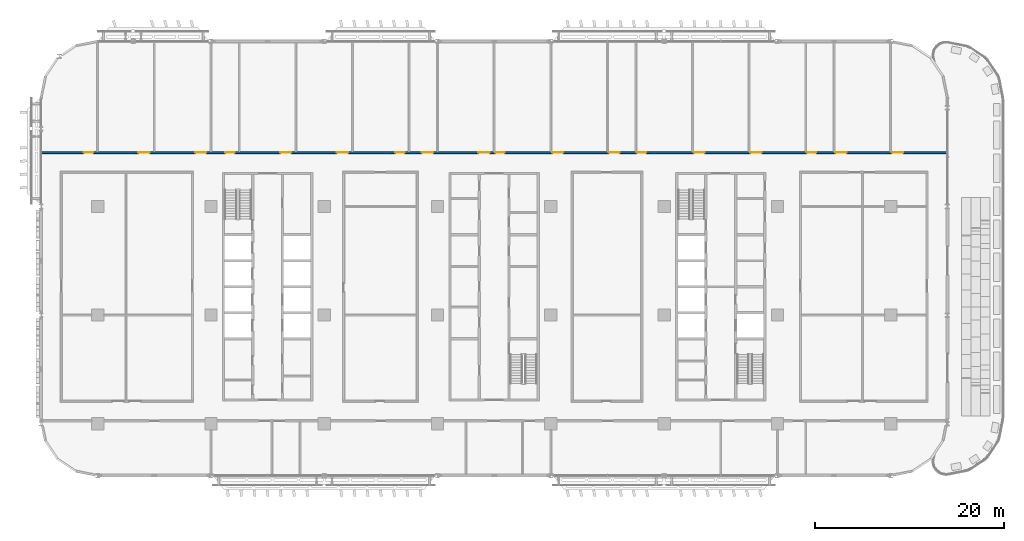
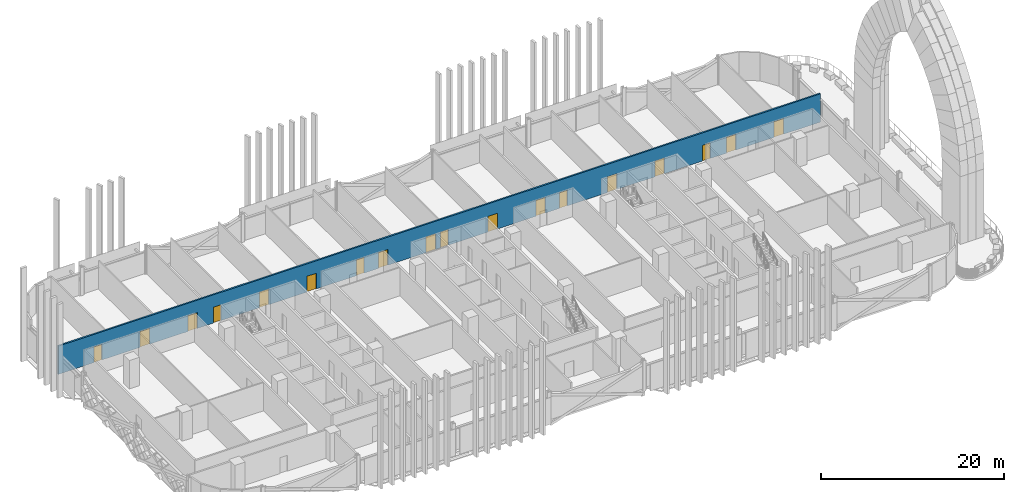
# One storey, part 14 of 33: 18 doors, 1 wall, 18 openings.
"""IFC4 building model written with IfcOpenShell, lengths in metres."""

import ifcopenshell
import ifcopenshell.guid

model = None  # the IFC model being written
_history = None  # IfcOwnerHistory: only IFC2X3 demands one
_inside = {}  # id of a spatial element -> (the spatial element, [elements in it])
_under = {}  # id of a project, library or spatial element -> (it, [spatial elements below it])
_declared = {}  # id of a project -> (the project, [libraries it declares])
_typed = {}  # id of a type object -> (the type object, [elements of that type])
_made_of = {}  # id of a material, layer set ... -> (it, [elements and type objects made of it])


def new_model(schema):
    """Start an empty IFC model of exactly this schema.

    Asked for "IFC4X3", IfcOpenShell would pick the latest addendum, in which some entities
    have other attributes; the version numbers below select the first issue.
    IFC2X3 requires an IfcOwnerHistory on every rooted entity: one is made here for all.
    """
    global model, _history
    if schema == "IFC4X3":
        model = ifcopenshell.file(schema_version=(4, 3, 0, 0))
    else:
        model = ifcopenshell.file(schema=schema)
    _inside.clear()
    _under.clear()
    _declared.clear()
    _typed.clear()
    _made_of.clear()
    _history = None
    if model.schema == "IFC2X3":
        org = make("IfcOrganization", Name="unknown")
        user = make(
            "IfcPersonAndOrganization",
            ThePerson=make("IfcPerson", FamilyName="unknown"),
            TheOrganization=org,
        )
        app = make(
            "IfcApplication",
            ApplicationDeveloper=org,
            Version="unknown",
            ApplicationFullName="unknown",
            ApplicationIdentifier="unknown",
        )
        _history = make(
            "IfcOwnerHistory",
            OwningUser=user,
            OwningApplication=app,
            ChangeAction="ADDED",
            CreationDate=0,
        )
    return model


def make(cls, **values):
    """One entity of the class cls with the attributes given. An attribute that is None is left unset."""
    return model.create_entity(
        cls, **{name: value for name, value in values.items() if value is not None}
    )


def rooted(cls, **values):
    """An entity with a GlobalId (a new one), such as an element, a storey or a relation."""
    return make(cls, GlobalId=ifcopenshell.guid.new(), OwnerHistory=_history, **values)


def si_unit(unit_type, name, prefix=None):
    """IfcSIUnit, for example si_unit("LENGTHUNIT", "METRE", prefix="MILLI")."""
    return make("IfcSIUnit", UnitType=unit_type, Prefix=prefix, Name=name)


def assignment(units):
    """IfcUnitAssignment: the units of a project."""
    return None if units is None else make("IfcUnitAssignment", Units=units)


def point(xyz):
    """IfcCartesianPoint."""
    return None if xyz is None else make("IfcCartesianPoint", Coordinates=xyz)


def direction(xyz):
    """IfcDirection."""
    return None if xyz is None else make("IfcDirection", DirectionRatios=xyz)


def frame(location, z_axis=None, x_axis=None):
    """IfcAxis2Placement3D, a coordinate frame: its origin and axes. An axis left out is left unset."""
    return make(
        "IfcAxis2Placement3D",
        Location=point(location),
        Axis=direction(z_axis),
        RefDirection=direction(x_axis),
    )


def frame_2d(location, x_axis=None):
    """IfcAxis2Placement2D, a coordinate frame in the plane: its origin and x axis."""
    return make(
        "IfcAxis2Placement2D", Location=point(location), RefDirection=direction(x_axis)
    )


def origin():
    """The frame at (0, 0, 0) with its axes left unset."""
    return frame((0.0, 0.0, 0.0))


def place(relative_to, where):
    """IfcLocalPlacement: puts the frame where relative to a parent placement (None: the world)."""
    return make(
        "IfcLocalPlacement", PlacementRelTo=relative_to, RelativePlacement=where
    )


def context(
    kind, dimensions, precision=None, world=None, true_north=None, identifier=None
):
    """IfcGeometricRepresentationContext, for example the 3D "Model" context."""
    return make(
        "IfcGeometricRepresentationContext",
        ContextIdentifier=identifier,
        ContextType=kind,
        CoordinateSpaceDimension=dimensions,
        Precision=precision,
        WorldCoordinateSystem=world,
        TrueNorth=true_north,
    )


def subcontext(parent, identifier, kind, view, scale=None):
    """IfcGeometricRepresentationSubContext, for example "Body" below "Model"."""
    return make(
        "IfcGeometricRepresentationSubContext",
        ContextIdentifier=identifier,
        ContextType=kind,
        ParentContext=parent,
        TargetScale=scale,
        TargetView=view,
    )


def project(units=None, contexts=None):
    """IfcProject with its units and contexts."""
    return rooted(
        "IfcProject",
        Name="project",
        RepresentationContexts=contexts,
        UnitsInContext=assignment(units),
    )


def spatial(cls, under=None, at=None, **own):
    """A site, building, storey or space (cls), placed at a placement, below another one or the project."""
    s = rooted(cls, ObjectPlacement=at, **own)
    if under is not None:
        _under.setdefault(under.id(), (under, []))[1].append(s)
    return s


def profile(cls, at=None, kind="AREA", **sizes):
    """A parametric profile (cls). Its sizes go by their IFC names, for example OverallWidth=200.0."""
    return make(cls, ProfileType=kind, Position=at, **sizes)


def rectangle(**sizes):
    """IfcRectangleProfileDef."""
    return profile("IfcRectangleProfileDef", **sizes)


def extrude(swept, where, along, depth):
    """IfcExtrudedAreaSolid: the profile swept, set in the frame where, extruded along a direction by depth."""
    return make(
        "IfcExtrudedAreaSolid",
        SweptArea=swept,
        Position=where,
        ExtrudedDirection=direction(along),
        Depth=depth,
    )


def shape(context_of_items, identifier, shape_type, items):
    """IfcShapeRepresentation: the items that make up one representation, for example the "Body"."""
    return make(
        "IfcShapeRepresentation",
        ContextOfItems=context_of_items,
        RepresentationIdentifier=identifier,
        RepresentationType=shape_type,
        Items=items,
    )


def material(Name=None, Category=None):
    """IfcMaterial."""
    return make("IfcMaterial", Name=Name, Category=Category)


def layer(
    of_material, thickness, ventilated=None, Name=None, Category=None, Priority=None
):
    """IfcMaterialLayer: one layer of a wall or slab, of a material (None: an air gap)."""
    return make(
        "IfcMaterialLayer",
        Material=of_material,
        LayerThickness=thickness,
        IsVentilated=ventilated,
        Name=Name,
        Category=Category,
        Priority=Priority,
    )


def layer_set(layers, Name=None):
    """IfcMaterialLayerSet."""
    return make("IfcMaterialLayerSet", MaterialLayers=layers, LayerSetName=Name)


def made_of(thing, what):
    """Note that an element or type object is made of a material, layer set ...; save() writes the relation."""
    if what is not None:
        _made_of.setdefault(what.id(), (what, []))[1].append(thing)
    return thing


def type_object(cls, material=None, **own):
    """A type object (cls), such as IfcWallType, which elements share."""
    return made_of(rooted(cls, **own), material)


def element(
    cls,
    number,
    at=None,
    inside=None,
    cuts=None,
    type_object=None,
    material=None,
    context=None,
    identifier="Body",
    shape_type=None,
    held_by="IfcProductDefinitionShape",
    body=None,
    shapes=None,
    **own,
):
    """One element of the class cls, such as IfcWall. Its Tag is "e" and its number.

    at: its placement. inside: the storey or other place that contains it. cuts: it is an
    opening in that element (IfcRelVoidsElement). A single representation is given by context,
    identifier, shape_type and body (its items); several are given by shapes. held_by: the class
    of the entity that holds the representations. save() writes the other relations.
    """
    e = rooted(cls, Tag="e%d" % number, ObjectPlacement=at, **own)
    if body is not None:
        shapes = [shape(context, identifier, shape_type, body)]
    if shapes is not None:
        e.Representation = make(held_by, Representations=shapes)
    if inside is not None:
        _inside.setdefault(inside.id(), (inside, []))[1].append(e)
    if cuts is not None:
        rooted(
            "IfcRelVoidsElement", RelatingBuildingElement=cuts, RelatedOpeningElement=e
        )
    if type_object is not None:
        _typed.setdefault(type_object.id(), (type_object, []))[1].append(e)
    return made_of(e, material)


def fill(opening, filler):
    """IfcRelFillsElement: the door or window that sits in an opening."""
    return rooted(
        "IfcRelFillsElement",
        RelatingOpeningElement=opening,
        RelatedBuildingElement=filler,
    )


def aggregate(whole, parts):
    """IfcRelAggregates: a whole, such as a stair, and the parts it consists of."""
    return rooted("IfcRelAggregates", RelatingObject=whole, RelatedObjects=parts)


def save(model, path):
    """Write the relations noted so far, then the file.

    IfcRelAggregates (storeys below a building ...), IfcRelContainedInSpatialStructure (elements
    in a storey), IfcRelDefinesByType, IfcRelAssociatesMaterial and IfcRelDeclares: one each for
    every whole, place, type object, material and project.
    """
    for whole, parts in _under.values():
        aggregate(whole, parts)
    for where, things in _inside.values():
        rooted(
            "IfcRelContainedInSpatialStructure",
            RelatedElements=things,
            RelatingStructure=where,
        )
    for kind, things in _typed.values():
        rooted("IfcRelDefinesByType", RelatedObjects=things, RelatingType=kind)
    for what, things in _made_of.values():
        rooted("IfcRelAssociatesMaterial", RelatedObjects=things, RelatingMaterial=what)
    for by, libraries in _declared.values():
        rooted("IfcRelDeclares", RelatingContext=by, RelatedDefinitions=libraries)
    model.write(path)


model = new_model("IFC4")

# Units and contexts
model_context = context("Model", 3, precision=1e-05, world=origin(), true_north=direction((0.0, 1.0)))
body_context = subcontext(model_context, "Body", "Model", "MODEL_VIEW")
ifc_project = project(units=[si_unit("LENGTHUNIT", "METRE"), si_unit("AREAUNIT", "SQUARE_METRE"), si_unit("VOLUMEUNIT", "CUBIC_METRE"), si_unit("PLANEANGLEUNIT", "RADIAN"), si_unit("MASSUNIT", "GRAM", prefix="KILO")], contexts=[model_context])

# Site, building, storey
site_placement = place(None, origin())
site = spatial("IfcSite", under=ifc_project, at=site_placement, CompositionType="ELEMENT")
building_placement = place(site_placement, origin())
building = spatial("IfcBuilding", under=site, at=building_placement, Name="Mahtab Terrace Research Tower", CompositionType="ELEMENT")
storey_placement = place(building_placement, frame((0.0, 0.0, 122.0)))
storey = spatial("IfcBuildingStorey", under=building, at=storey_placement, Name="L28", CompositionType="ELEMENT", Elevation=122.0)

# Wall, openings, doors
ifc_material_1 = material(Name="Gypsum board corridor wall on steel studs", Category="steel")
ifc_layer = layer(ifc_material_1, 0.199951171875)
ifc_layer_set = layer_set([ifc_layer], Name="WALL CORRIDOR 200")
wall_type = type_object("IfcWallType", Name="WALL CORRIDOR 200", PredefinedType="PARTITIONING", material=ifc_layer_set)
wall_placement = place(storey_placement, frame((-47.97509765625, 17.199951171875, 0.0), z_axis=(0.0, 0.0, 1.0), x_axis=(1.0, 0.0, 0.0)))
wall = element("IfcWall", 1, at=wall_placement, inside=storey, type_object=wall_type, Name="L28-W027", PredefinedType="PARTITIONING", context=body_context, shape_type="SweptSolid", body=[
    extrude(rectangle(XDim=95.9501953125, YDim=0.199951171875, at=frame_2d((47.97509765625, 0.0))), origin(), (0.0, 0.0, 1.0), 3.760009765625),
])
opening_1_placement = place(wall_placement, frame((4.5, 0.0, 0.0)))
opening_1 = element("IfcOpeningElement", 2, at=opening_1_placement, cuts=wall, Name="Opening L28-126", PredefinedType="OPENING", context=body_context, shape_type="SweptSolid", body=[
    extrude(rectangle(XDim=1.0, YDim=2.10009765625, at=frame_2d((0.5, 1.050048828125))), frame((0.0, 0.10986328125, 0.0), z_axis=(0.0, -1.0, 0.0), x_axis=(1.0, 0.0, 0.0)), (0.0, 0.0, 1.0), 0.219970703125),
])
opening_2_placement = place(wall_placement, frame((10.300048828125, 0.0, 0.0)))
opening_2 = element("IfcOpeningElement", 3, at=opening_2_placement, cuts=wall, Name="Opening L28-127", PredefinedType="OPENING", context=body_context, shape_type="SweptSolid", body=[
    extrude(rectangle(XDim=1.199951171875, YDim=2.10009765625, at=frame_2d((0.60009765625, 1.050048828125))), frame((0.0, 0.10986328125, 0.0), z_axis=(0.0, -1.0, 0.0), x_axis=(1.0, 0.0, 0.0)), (0.0, 0.0, 1.0), 0.219970703125),
])
opening_3_placement = place(wall_placement, frame((16.300048828125, 0.0, 0.0)))
opening_3 = element("IfcOpeningElement", 4, at=opening_3_placement, cuts=wall, Name="Opening L28-128", PredefinedType="OPENING", context=body_context, shape_type="SweptSolid", body=[
    extrude(rectangle(XDim=1.199951171875, YDim=2.10009765625, at=frame_2d((0.60009765625, 1.050048828125))), frame((0.0, 0.10986328125, 0.0), z_axis=(0.0, -1.0, 0.0), x_axis=(1.0, 0.0, 0.0)), (0.0, 0.0, 1.0), 0.219970703125),
])
opening_4_placement = place(wall_placement, frame((19.5, 0.0, 0.0)))
opening_4 = element("IfcOpeningElement", 5, at=opening_4_placement, cuts=wall, Name="Opening L28-129", PredefinedType="OPENING", context=body_context, shape_type="SweptSolid", body=[
    extrude(rectangle(XDim=1.0, YDim=2.10009765625, at=frame_2d((0.5, 1.050048828125))), frame((0.0, 0.10986328125, 0.0), z_axis=(0.0, -1.0, 0.0), x_axis=(1.0, 0.0, 0.0)), (0.0, 0.0, 1.0), 0.219970703125),
])
opening_5_placement = place(wall_placement, frame((25.300048828125, 0.0, 0.0)))
opening_5 = element("IfcOpeningElement", 6, at=opening_5_placement, cuts=wall, Name="Opening L28-130", PredefinedType="OPENING", context=body_context, shape_type="SweptSolid", body=[
    extrude(rectangle(XDim=1.199951171875, YDim=2.10009765625, at=frame_2d((0.60009765625, 1.050048828125))), frame((0.0, 0.10986328125, 0.0), z_axis=(0.0, -1.0, 0.0), x_axis=(1.0, 0.0, 0.0)), (0.0, 0.0, 1.0), 0.219970703125),
])
opening_6_placement = place(wall_placement, frame((31.300048828125, 0.0, 0.0)))
opening_6 = element("IfcOpeningElement", 7, at=opening_6_placement, cuts=wall, Name="Opening L28-131", PredefinedType="OPENING", context=body_context, shape_type="SweptSolid", body=[
    extrude(rectangle(XDim=1.199951171875, YDim=2.10009765625, at=frame_2d((0.60009765625, 1.050048828125))), frame((0.0, 0.10986328125, 0.0), z_axis=(0.0, -1.0, 0.0), x_axis=(1.0, 0.0, 0.0)), (0.0, 0.0, 1.0), 0.219970703125),
])
opening_7_placement = place(wall_placement, frame((37.5, 0.0, 0.0)))
opening_7 = element("IfcOpeningElement", 8, at=opening_7_placement, cuts=wall, Name="Opening L28-132", PredefinedType="OPENING", context=body_context, shape_type="SweptSolid", body=[
    extrude(rectangle(XDim=1.0, YDim=2.10009765625, at=frame_2d((0.5, 1.050048828125))), frame((0.0, 0.10986328125, 0.0), z_axis=(0.0, -1.0, 0.0), x_axis=(1.0, 0.0, 0.0)), (0.0, 0.0, 1.0), 0.219970703125),
])
opening_8_placement = place(wall_placement, frame((40.300048828125, 0.0, 0.0)))
opening_8 = element("IfcOpeningElement", 9, at=opening_8_placement, cuts=wall, Name="Opening L28-133", PredefinedType="OPENING", context=body_context, shape_type="SweptSolid", body=[
    extrude(rectangle(XDim=1.199951171875, YDim=2.10009765625, at=frame_2d((0.60009765625, 1.050048828125))), frame((0.0, 0.10986328125, 0.0), z_axis=(0.0, -1.0, 0.0), x_axis=(1.0, 0.0, 0.0)), (0.0, 0.0, 1.0), 0.219970703125),
])
opening_9_placement = place(wall_placement, frame((46.300048828125, 0.0, 0.0)))
opening_9 = element("IfcOpeningElement", 10, at=opening_9_placement, cuts=wall, Name="Opening L28-134", PredefinedType="OPENING", context=body_context, shape_type="SweptSolid", body=[
    extrude(rectangle(XDim=1.199951171875, YDim=2.10009765625, at=frame_2d((0.60009765625, 1.050048828125))), frame((0.0, 0.10986328125, 0.0), z_axis=(0.0, -1.0, 0.0), x_axis=(1.0, 0.0, 0.0)), (0.0, 0.0, 1.0), 0.219970703125),
])
opening_10_placement = place(wall_placement, frame((48.10009765625, 0.0, 0.0)))
opening_10 = element("IfcOpeningElement", 11, at=opening_10_placement, cuts=wall, Name="Opening L28-135", PredefinedType="OPENING", context=body_context, shape_type="SweptSolid", body=[
    extrude(rectangle(XDim=1.0, YDim=2.10009765625, at=frame_2d((0.5, 1.050048828125))), frame((0.0, 0.10986328125, 0.0), z_axis=(0.0, -1.0, 0.0), x_axis=(1.0, 0.0, 0.0)), (0.0, 0.0, 1.0), 0.219970703125),
])
opening_11_placement = place(wall_placement, frame((54.10009765625, 0.0, 0.0)))
opening_11 = element("IfcOpeningElement", 12, at=opening_11_placement, cuts=wall, Name="Opening L28-136", PredefinedType="OPENING", context=body_context, shape_type="SweptSolid", body=[
    extrude(rectangle(XDim=1.199951171875, YDim=2.10009765625, at=frame_2d((0.60009765625, 1.050048828125))), frame((0.0, 0.10986328125, 0.0), z_axis=(0.0, -1.0, 0.0), x_axis=(1.0, 0.0, 0.0)), (0.0, 0.0, 1.0), 0.219970703125),
])
opening_12_placement = place(wall_placement, frame((60.10009765625, 0.0, 0.0)))
opening_12 = element("IfcOpeningElement", 13, at=opening_12_placement, cuts=wall, Name="Opening L28-137", PredefinedType="OPENING", context=body_context, shape_type="SweptSolid", body=[
    extrude(rectangle(XDim=1.199951171875, YDim=2.10009765625, at=frame_2d((0.60009765625, 1.050048828125))), frame((0.0, 0.10986328125, 0.0), z_axis=(0.0, -1.0, 0.0), x_axis=(1.0, 0.0, 0.0)), (0.0, 0.0, 1.0), 0.219970703125),
])
opening_13_placement = place(wall_placement, frame((63.10009765625, 0.0, 0.0)))
opening_13 = element("IfcOpeningElement", 14, at=opening_13_placement, cuts=wall, Name="Opening L28-138", PredefinedType="OPENING", context=body_context, shape_type="SweptSolid", body=[
    extrude(rectangle(XDim=1.0, YDim=2.10009765625, at=frame_2d((0.5, 1.050048828125))), frame((0.0, 0.10986328125, 0.0), z_axis=(0.0, -1.0, 0.0), x_axis=(1.0, 0.0, 0.0)), (0.0, 0.0, 1.0), 0.219970703125),
])
opening_14_placement = place(wall_placement, frame((69.10009765625, 0.0, 0.0)))
opening_14 = element("IfcOpeningElement", 15, at=opening_14_placement, cuts=wall, Name="Opening L28-139", PredefinedType="OPENING", context=body_context, shape_type="SweptSolid", body=[
    extrude(rectangle(XDim=1.199951171875, YDim=2.10009765625, at=frame_2d((0.60009765625, 1.050048828125))), frame((0.0, 0.10986328125, 0.0), z_axis=(0.0, -1.0, 0.0), x_axis=(1.0, 0.0, 0.0)), (0.0, 0.0, 1.0), 0.219970703125),
])
opening_15_placement = place(wall_placement, frame((75.10009765625, 0.0, 0.0)))
opening_15 = element("IfcOpeningElement", 16, at=opening_15_placement, cuts=wall, Name="Opening L28-140", PredefinedType="OPENING", context=body_context, shape_type="SweptSolid", body=[
    extrude(rectangle(XDim=1.199951171875, YDim=2.10009765625, at=frame_2d((0.60009765625, 1.050048828125))), frame((0.0, 0.10986328125, 0.0), z_axis=(0.0, -1.0, 0.0), x_axis=(1.0, 0.0, 0.0)), (0.0, 0.0, 1.0), 0.219970703125),
])
opening_16_placement = place(wall_placement, frame((81.10009765625, 0.0, 0.0)))
opening_16 = element("IfcOpeningElement", 17, at=opening_16_placement, cuts=wall, Name="Opening L28-141", PredefinedType="OPENING", context=body_context, shape_type="SweptSolid", body=[
    extrude(rectangle(XDim=1.0, YDim=2.10009765625, at=frame_2d((0.5, 1.050048828125))), frame((0.0, 0.10986328125, 0.0), z_axis=(0.0, -1.0, 0.0), x_axis=(1.0, 0.0, 0.0)), (0.0, 0.0, 1.0), 0.219970703125),
])
opening_17_placement = place(wall_placement, frame((84.10009765625, 0.0, 0.0)))
opening_17 = element("IfcOpeningElement", 18, at=opening_17_placement, cuts=wall, Name="Opening L28-142", PredefinedType="OPENING", context=body_context, shape_type="SweptSolid", body=[
    extrude(rectangle(XDim=1.199951171875, YDim=2.10009765625, at=frame_2d((0.60009765625, 1.050048828125))), frame((0.0, 0.10986328125, 0.0), z_axis=(0.0, -1.0, 0.0), x_axis=(1.0, 0.0, 0.0)), (0.0, 0.0, 1.0), 0.219970703125),
])
opening_18_placement = place(wall_placement, frame((90.10009765625, 0.0, 0.0)))
opening_18 = element("IfcOpeningElement", 19, at=opening_18_placement, cuts=wall, Name="Opening L28-143", PredefinedType="OPENING", context=body_context, shape_type="SweptSolid", body=[
    extrude(rectangle(XDim=1.199951171875, YDim=2.10009765625, at=frame_2d((0.60009765625, 1.050048828125))), frame((0.0, 0.10986328125, 0.0), z_axis=(0.0, -1.0, 0.0), x_axis=(1.0, 0.0, 0.0)), (0.0, 0.0, 1.0), 0.219970703125),
])
ifc_material_2 = material(Name="Timber door leaf in steel frame", Category="steel")
door_type_1 = type_object("IfcDoorType", Name="DOOR 1000X2100 FD30S", OperationType="SINGLE_SWING_LEFT", PredefinedType="DOOR", material=ifc_material_2)
door_1_placement = place(opening_1_placement, origin())
door_1 = element("IfcDoor", 20, at=door_1_placement, inside=storey, type_object=door_type_1, Name="Door L28-126", OperationType="SINGLE_SWING_LEFT", OverallHeight=2.10009765625, OverallWidth=1.0, PredefinedType="DOOR", context=body_context, shape_type="SweptSolid", body=[
    extrude(rectangle(XDim=1.0, YDim=2.10009765625, at=frame_2d((0.5, 1.050048828125))), frame((0.0, 0.02490234375, 0.0), z_axis=(0.0, -1.0, 0.0), x_axis=(1.0, 0.0, 0.0)), (0.0, 0.0, 1.0), 0.050048828125),
])
fill(opening_1, door_1)
door_2_placement = place(opening_4_placement, origin())
door_2 = element("IfcDoor", 21, at=door_2_placement, inside=storey, type_object=door_type_1, Name="Door L28-129", OperationType="SINGLE_SWING_LEFT", OverallHeight=2.10009765625, OverallWidth=1.0, PredefinedType="DOOR", context=body_context, shape_type="SweptSolid", body=[
    extrude(rectangle(XDim=1.0, YDim=2.10009765625, at=frame_2d((0.5, 1.050048828125))), frame((0.0, 0.02490234375, 0.0), z_axis=(0.0, -1.0, 0.0), x_axis=(1.0, 0.0, 0.0)), (0.0, 0.0, 1.0), 0.050048828125),
])
fill(opening_4, door_2)
door_3_placement = place(opening_7_placement, origin())
door_3 = element("IfcDoor", 22, at=door_3_placement, inside=storey, type_object=door_type_1, Name="Door L28-132", OperationType="SINGLE_SWING_LEFT", OverallHeight=2.10009765625, OverallWidth=1.0, PredefinedType="DOOR", context=body_context, shape_type="SweptSolid", body=[
    extrude(rectangle(XDim=1.0, YDim=2.10009765625, at=frame_2d((0.5, 1.050048828125))), frame((0.0, 0.02490234375, 0.0), z_axis=(0.0, -1.0, 0.0), x_axis=(1.0, 0.0, 0.0)), (0.0, 0.0, 1.0), 0.050048828125),
])
fill(opening_7, door_3)
door_4_placement = place(opening_10_placement, origin())
door_4 = element("IfcDoor", 23, at=door_4_placement, inside=storey, type_object=door_type_1, Name="Door L28-135", OperationType="SINGLE_SWING_RIGHT", OverallHeight=2.10009765625, OverallWidth=1.0, PredefinedType="DOOR", context=body_context, shape_type="SweptSolid", body=[
    extrude(rectangle(XDim=1.0, YDim=2.10009765625, at=frame_2d((0.5, 1.050048828125))), frame((0.0, 0.02490234375, 0.0), z_axis=(0.0, -1.0, 0.0), x_axis=(1.0, 0.0, 0.0)), (0.0, 0.0, 1.0), 0.050048828125),
])
fill(opening_10, door_4)
door_5_placement = place(opening_13_placement, origin())
door_5 = element("IfcDoor", 24, at=door_5_placement, inside=storey, type_object=door_type_1, Name="Door L28-138", OperationType="SINGLE_SWING_RIGHT", OverallHeight=2.10009765625, OverallWidth=1.0, PredefinedType="DOOR", context=body_context, shape_type="SweptSolid", body=[
    extrude(rectangle(XDim=1.0, YDim=2.10009765625, at=frame_2d((0.5, 1.050048828125))), frame((0.0, 0.02490234375, 0.0), z_axis=(0.0, -1.0, 0.0), x_axis=(1.0, 0.0, 0.0)), (0.0, 0.0, 1.0), 0.050048828125),
])
fill(opening_13, door_5)
door_6_placement = place(opening_16_placement, origin())
door_6 = element("IfcDoor", 25, at=door_6_placement, inside=storey, type_object=door_type_1, Name="Door L28-141", OperationType="SINGLE_SWING_RIGHT", OverallHeight=2.10009765625, OverallWidth=1.0, PredefinedType="DOOR", context=body_context, shape_type="SweptSolid", body=[
    extrude(rectangle(XDim=1.0, YDim=2.10009765625, at=frame_2d((0.5, 1.050048828125))), frame((0.0, 0.02490234375, 0.0), z_axis=(0.0, -1.0, 0.0), x_axis=(1.0, 0.0, 0.0)), (0.0, 0.0, 1.0), 0.050048828125),
])
fill(opening_16, door_6)
door_type_2 = type_object("IfcDoorType", Name="DOOR 1200X2100 FD30S", OperationType="SINGLE_SWING_LEFT", PredefinedType="DOOR", material=ifc_material_2)
door_7_placement = place(opening_2_placement, origin())
door_7 = element("IfcDoor", 26, at=door_7_placement, inside=storey, type_object=door_type_2, Name="Door L28-127", OperationType="SINGLE_SWING_LEFT", OverallHeight=2.10009765625, OverallWidth=1.199951171875, PredefinedType="DOOR", context=body_context, shape_type="SweptSolid", body=[
    extrude(rectangle(XDim=1.199951171875, YDim=2.10009765625, at=frame_2d((0.60009765625, 1.050048828125))), frame((0.0, 0.02490234375, 0.0), z_axis=(0.0, -1.0, 0.0), x_axis=(1.0, 0.0, 0.0)), (0.0, 0.0, 1.0), 0.050048828125),
])
fill(opening_2, door_7)
door_8_placement = place(opening_3_placement, origin())
door_8 = element("IfcDoor", 27, at=door_8_placement, inside=storey, type_object=door_type_2, Name="Door L28-128", OperationType="SINGLE_SWING_LEFT", OverallHeight=2.10009765625, OverallWidth=1.199951171875, PredefinedType="DOOR", context=body_context, shape_type="SweptSolid", body=[
    extrude(rectangle(XDim=1.199951171875, YDim=2.10009765625, at=frame_2d((0.60009765625, 1.050048828125))), frame((0.0, 0.02490234375, 0.0), z_axis=(0.0, -1.0, 0.0), x_axis=(1.0, 0.0, 0.0)), (0.0, 0.0, 1.0), 0.050048828125),
])
fill(opening_3, door_8)
door_9_placement = place(opening_5_placement, origin())
door_9 = element("IfcDoor", 28, at=door_9_placement, inside=storey, type_object=door_type_2, Name="Door L28-130", OperationType="SINGLE_SWING_LEFT", OverallHeight=2.10009765625, OverallWidth=1.199951171875, PredefinedType="DOOR", context=body_context, shape_type="SweptSolid", body=[
    extrude(rectangle(XDim=1.199951171875, YDim=2.10009765625, at=frame_2d((0.60009765625, 1.050048828125))), frame((0.0, 0.02490234375, 0.0), z_axis=(0.0, -1.0, 0.0), x_axis=(1.0, 0.0, 0.0)), (0.0, 0.0, 1.0), 0.050048828125),
])
fill(opening_5, door_9)
door_10_placement = place(opening_6_placement, origin())
door_10 = element("IfcDoor", 29, at=door_10_placement, inside=storey, type_object=door_type_2, Name="Door L28-131", OperationType="SINGLE_SWING_LEFT", OverallHeight=2.10009765625, OverallWidth=1.199951171875, PredefinedType="DOOR", context=body_context, shape_type="SweptSolid", body=[
    extrude(rectangle(XDim=1.199951171875, YDim=2.10009765625, at=frame_2d((0.60009765625, 1.050048828125))), frame((0.0, 0.02490234375, 0.0), z_axis=(0.0, -1.0, 0.0), x_axis=(1.0, 0.0, 0.0)), (0.0, 0.0, 1.0), 0.050048828125),
])
fill(opening_6, door_10)
door_11_placement = place(opening_8_placement, origin())
door_11 = element("IfcDoor", 30, at=door_11_placement, inside=storey, type_object=door_type_2, Name="Door L28-133", OperationType="SINGLE_SWING_LEFT", OverallHeight=2.10009765625, OverallWidth=1.199951171875, PredefinedType="DOOR", context=body_context, shape_type="SweptSolid", body=[
    extrude(rectangle(XDim=1.199951171875, YDim=2.10009765625, at=frame_2d((0.60009765625, 1.050048828125))), frame((0.0, 0.02490234375, 0.0), z_axis=(0.0, -1.0, 0.0), x_axis=(1.0, 0.0, 0.0)), (0.0, 0.0, 1.0), 0.050048828125),
])
fill(opening_8, door_11)
door_12_placement = place(opening_9_placement, origin())
door_12 = element("IfcDoor", 31, at=door_12_placement, inside=storey, type_object=door_type_2, Name="Door L28-134", OperationType="SINGLE_SWING_LEFT", OverallHeight=2.10009765625, OverallWidth=1.199951171875, PredefinedType="DOOR", context=body_context, shape_type="SweptSolid", body=[
    extrude(rectangle(XDim=1.199951171875, YDim=2.10009765625, at=frame_2d((0.60009765625, 1.050048828125))), frame((0.0, 0.02490234375, 0.0), z_axis=(0.0, -1.0, 0.0), x_axis=(1.0, 0.0, 0.0)), (0.0, 0.0, 1.0), 0.050048828125),
])
fill(opening_9, door_12)
door_13_placement = place(opening_11_placement, origin())
door_13 = element("IfcDoor", 32, at=door_13_placement, inside=storey, type_object=door_type_2, Name="Door L28-136", OperationType="SINGLE_SWING_RIGHT", OverallHeight=2.10009765625, OverallWidth=1.199951171875, PredefinedType="DOOR", context=body_context, shape_type="SweptSolid", body=[
    extrude(rectangle(XDim=1.199951171875, YDim=2.10009765625, at=frame_2d((0.60009765625, 1.050048828125))), frame((0.0, 0.02490234375, 0.0), z_axis=(0.0, -1.0, 0.0), x_axis=(1.0, 0.0, 0.0)), (0.0, 0.0, 1.0), 0.050048828125),
])
fill(opening_11, door_13)
door_14_placement = place(opening_12_placement, origin())
door_14 = element("IfcDoor", 33, at=door_14_placement, inside=storey, type_object=door_type_2, Name="Door L28-137", OperationType="SINGLE_SWING_RIGHT", OverallHeight=2.10009765625, OverallWidth=1.199951171875, PredefinedType="DOOR", context=body_context, shape_type="SweptSolid", body=[
    extrude(rectangle(XDim=1.199951171875, YDim=2.10009765625, at=frame_2d((0.60009765625, 1.050048828125))), frame((0.0, 0.02490234375, 0.0), z_axis=(0.0, -1.0, 0.0), x_axis=(1.0, 0.0, 0.0)), (0.0, 0.0, 1.0), 0.050048828125),
])
fill(opening_12, door_14)
door_15_placement = place(opening_14_placement, origin())
door_15 = element("IfcDoor", 34, at=door_15_placement, inside=storey, type_object=door_type_2, Name="Door L28-139", OperationType="SINGLE_SWING_RIGHT", OverallHeight=2.10009765625, OverallWidth=1.199951171875, PredefinedType="DOOR", context=body_context, shape_type="SweptSolid", body=[
    extrude(rectangle(XDim=1.199951171875, YDim=2.10009765625, at=frame_2d((0.60009765625, 1.050048828125))), frame((0.0, 0.02490234375, 0.0), z_axis=(0.0, -1.0, 0.0), x_axis=(1.0, 0.0, 0.0)), (0.0, 0.0, 1.0), 0.050048828125),
])
fill(opening_14, door_15)
door_16_placement = place(opening_15_placement, origin())
door_16 = element("IfcDoor", 35, at=door_16_placement, inside=storey, type_object=door_type_2, Name="Door L28-140", OperationType="SINGLE_SWING_RIGHT", OverallHeight=2.10009765625, OverallWidth=1.199951171875, PredefinedType="DOOR", context=body_context, shape_type="SweptSolid", body=[
    extrude(rectangle(XDim=1.199951171875, YDim=2.10009765625, at=frame_2d((0.60009765625, 1.050048828125))), frame((0.0, 0.02490234375, 0.0), z_axis=(0.0, -1.0, 0.0), x_axis=(1.0, 0.0, 0.0)), (0.0, 0.0, 1.0), 0.050048828125),
])
fill(opening_15, door_16)
door_17_placement = place(opening_17_placement, origin())
door_17 = element("IfcDoor", 36, at=door_17_placement, inside=storey, type_object=door_type_2, Name="Door L28-142", OperationType="SINGLE_SWING_RIGHT", OverallHeight=2.10009765625, OverallWidth=1.199951171875, PredefinedType="DOOR", context=body_context, shape_type="SweptSolid", body=[
    extrude(rectangle(XDim=1.199951171875, YDim=2.10009765625, at=frame_2d((0.60009765625, 1.050048828125))), frame((0.0, 0.02490234375, 0.0), z_axis=(0.0, -1.0, 0.0), x_axis=(1.0, 0.0, 0.0)), (0.0, 0.0, 1.0), 0.050048828125),
])
fill(opening_17, door_17)
door_18_placement = place(opening_18_placement, origin())
door_18 = element("IfcDoor", 37, at=door_18_placement, inside=storey, type_object=door_type_2, Name="Door L28-143", OperationType="SINGLE_SWING_RIGHT", OverallHeight=2.10009765625, OverallWidth=1.199951171875, PredefinedType="DOOR", context=body_context, shape_type="SweptSolid", body=[
    extrude(rectangle(XDim=1.199951171875, YDim=2.10009765625, at=frame_2d((0.60009765625, 1.050048828125))), frame((0.0, 0.02490234375, 0.0), z_axis=(0.0, -1.0, 0.0), x_axis=(1.0, 0.0, 0.0)), (0.0, 0.0, 1.0), 0.050048828125),
])
fill(opening_18, door_18)

save(model, "model.ifc")
